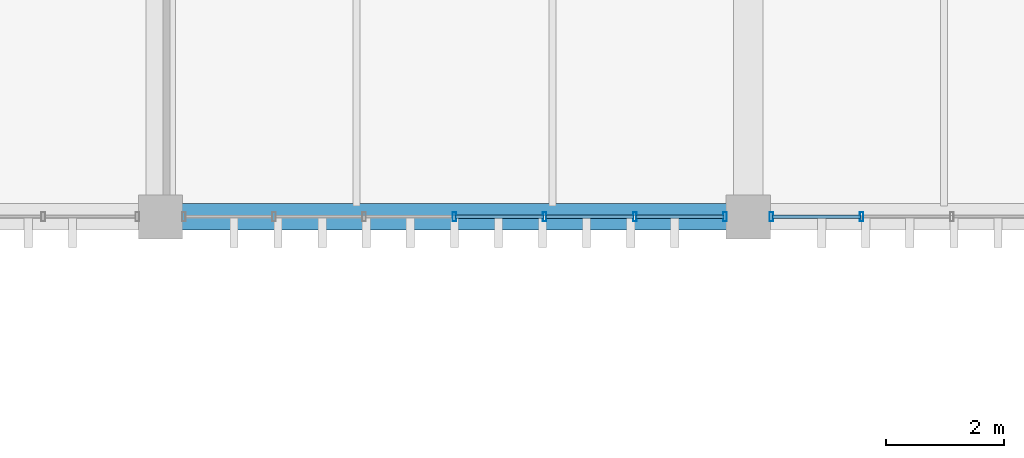
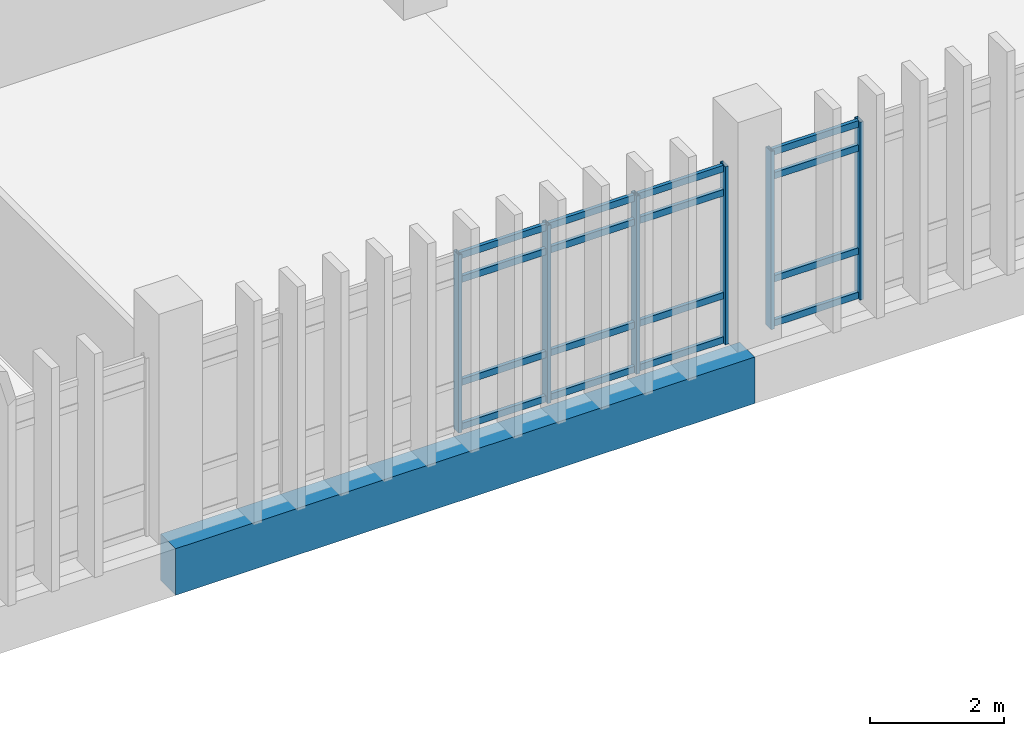
# One storey, part 39 of 111: 22 members, 1 beam, 2 elements without a shape of their own.
"""IFC4 building model written with IfcOpenShell, lengths in metres."""

from ifc_helpers import new_model, si_unit, direction, frame, origin, origin_2d, place, context, subcontext, project, spatial, rectangle, hollow_rectangle, extrude, material, layer, layer_set, material_profile, profile_set, type_object, element, aggregate, save


model = new_model("IFC4")

# Units and contexts
model_context = context("Model", 3, precision=1e-05, world=origin(), true_north=direction((0.0, 1.0)))
body_context = subcontext(model_context, "Body", "Model", "MODEL_VIEW")
ifc_project = project(units=[si_unit("LENGTHUNIT", "METRE"), si_unit("AREAUNIT", "SQUARE_METRE"), si_unit("VOLUMEUNIT", "CUBIC_METRE"), si_unit("PLANEANGLEUNIT", "RADIAN"), si_unit("MASSUNIT", "GRAM", prefix="KILO")], contexts=[model_context])

# Site, building, storey
site_placement = place(None, origin())
site = spatial("IfcSite", under=ifc_project, at=site_placement, CompositionType="ELEMENT")
building_placement = place(site_placement, origin())
building = spatial("IfcBuilding", under=site, at=building_placement, Name="Mersad Railyard Sports Hall", CompositionType="ELEMENT")
storey_placement = place(building_placement, frame((0.0, 0.0, 9.0)))
storey = spatial("IfcBuildingStorey", under=building, at=storey_placement, Name="L02", CompositionType="ELEMENT", Elevation=9.0)

# Curtain wall, members
ifc_material_1 = material(Name="Aluminium 6063-T6", Category="aluminium")
ifc_layer = layer(ifc_material_1, 0.159912109375)
ifc_layer_set = layer_set([ifc_layer], Name="Aluminium 6063-T6")
curtain_wall_type = type_object("IfcCurtainWallType", Name="ARC-CW-CW55", PredefinedType="USERDEFINED", material=ifc_layer_set)
curtain_wall_1_placement = place(storey_placement, origin())
curtain_wall_1 = element("IfcCurtainWall", 1, at=curtain_wall_1_placement, inside=storey, type_object=curtain_wall_type, Name="Curtain wall CW55-0147", ObjectType="CURTAIN WALL", PredefinedType="USERDEFINED")
ifc_material_profile_1 = material_profile(ifc_material_1, hollow_rectangle(XDim=0.06005859375, YDim=0.159912109375, WallThickness=0.00390625, at=origin_2d()), Name="AL MULLION 60x160x4")
ifc_profile_set_1 = profile_set([ifc_material_profile_1], Name="Aluminium 6063-T6")
member_type_1 = type_object("IfcMemberType", Name="ARC-CW-MUL01", PredefinedType="MULLION", material=ifc_profile_set_1)
member_1_placement = place(storey_placement, frame((100.60498046875, 85.0, -0.02001953125), z_axis=(0.0, 0.0, 1.0), x_axis=(1.0, 0.0, 0.0)))
member_1 = element("IfcMember", 2, at=member_1_placement, type_object=member_type_1, Name="CW55 Mullion 1", PredefinedType="MULLION", context=body_context, shape_type="SweptSolid", body=[
    extrude(hollow_rectangle(XDim=0.06005859375, YDim=0.159912109375, WallThickness=0.00390625, at=origin_2d()), origin(), (0.0, 0.0, 1.0), 3.25),
])
member_2_placement = place(storey_placement, frame((99.070068359375, 85.0, -0.02001953125), z_axis=(0.0, 0.0, 1.0), x_axis=(1.0, 0.0, 0.0)))
member_2 = element("IfcMember", 3, at=member_2_placement, type_object=member_type_1, Name="CW55 Mullion 2", PredefinedType="MULLION", context=body_context, shape_type="SweptSolid", body=[
    extrude(hollow_rectangle(XDim=0.06005859375, YDim=0.159912109375, WallThickness=0.00390625, at=origin_2d()), origin(), (0.0, 0.0, 1.0), 3.25),
])
member_3_placement = place(storey_placement, frame((97.534912109375, 85.0, -0.02001953125), z_axis=(0.0, 0.0, 1.0), x_axis=(1.0, 0.0, 0.0)))
member_3 = element("IfcMember", 4, at=member_3_placement, type_object=member_type_1, Name="CW55 Mullion 3", PredefinedType="MULLION", context=body_context, shape_type="SweptSolid", body=[
    extrude(hollow_rectangle(XDim=0.06005859375, YDim=0.159912109375, WallThickness=0.00390625, at=origin_2d()), origin(), (0.0, 0.0, 1.0), 3.25),
])
member_4_placement = place(storey_placement, frame((96.0, 85.0, -0.02001953125), z_axis=(0.0, 0.0, 1.0), x_axis=(1.0, 0.0, 0.0)))
member_4 = element("IfcMember", 5, at=member_4_placement, type_object=member_type_1, Name="CW55 Mullion 4", PredefinedType="MULLION", context=body_context, shape_type="SweptSolid", body=[
    extrude(hollow_rectangle(XDim=0.06005859375, YDim=0.159912109375, WallThickness=0.00390625, at=origin_2d()), origin(), (0.0, 0.0, 1.0), 3.25),
])

curtain_wall_2_placement = place(storey_placement, origin())
curtain_wall_2 = element("IfcCurtainWall", 6, at=curtain_wall_2_placement, inside=storey, type_object=curtain_wall_type, Name="Curtain wall CW55-0148", ObjectType="CURTAIN WALL", PredefinedType="USERDEFINED")
member_5_placement = place(storey_placement, frame((102.929931640625, 85.0, -0.02001953125), z_axis=(0.0, 0.0, 1.0), x_axis=(1.0, 0.0, 0.0)))
member_5 = element("IfcMember", 7, at=member_5_placement, type_object=member_type_1, Name="CW55 Mullion 6", PredefinedType="MULLION", context=body_context, shape_type="SweptSolid", body=[
    extrude(hollow_rectangle(XDim=0.06005859375, YDim=0.159912109375, WallThickness=0.00390625, at=origin_2d()), origin(), (0.0, 0.0, 1.0), 3.25),
])
member_6_placement = place(storey_placement, frame((101.39501953125, 85.0, -0.02001953125), z_axis=(0.0, 0.0, 1.0), x_axis=(1.0, 0.0, 0.0)))
member_6 = element("IfcMember", 8, at=member_6_placement, type_object=member_type_1, Name="CW55 Mullion 7", PredefinedType="MULLION", context=body_context, shape_type="SweptSolid", body=[
    extrude(hollow_rectangle(XDim=0.06005859375, YDim=0.159912109375, WallThickness=0.00390625, at=origin_2d()), origin(), (0.0, 0.0, 1.0), 3.25),
])

# Member
ifc_material_profile_2 = material_profile(ifc_material_1, hollow_rectangle(XDim=0.06005859375, YDim=0.1201171875, WallThickness=0.00390625, at=origin_2d()), Name="AL TRANSOM 60x120x4")
ifc_profile_set_2 = profile_set([ifc_material_profile_2], Name="Aluminium 6063-T6")
member_type_2 = type_object("IfcMemberType", Name="ARC-CW-TRN01", PredefinedType="USERDEFINED", material=ifc_profile_set_2)
member_7_placement = place(storey_placement, frame((100.5849609375, 85.0, 0.0400390625), z_axis=(-1.0, 0.0, 0.0), x_axis=(0.0, -1.0, 0.0)))
member_7 = element("IfcMember", 9, at=member_7_placement, type_object=member_type_2, Name="CW55 Transom 1-1", ObjectType="TRANSOM", PredefinedType="USERDEFINED", context=body_context, shape_type="SweptSolid", body=[
    extrude(hollow_rectangle(XDim=0.06005859375, YDim=0.1201171875, WallThickness=0.00390625, at=origin_2d()), origin(), (0.0, 0.0, 1.0), 1.494873046875),
])

member_8_placement = place(storey_placement, frame((99.050048828125, 85.0, 0.0400390625), z_axis=(-1.0, 0.0, 0.0), x_axis=(0.0, -1.0, 0.0)))
member_8 = element("IfcMember", 10, at=member_8_placement, type_object=member_type_2, Name="CW55 Transom 1-2", ObjectType="TRANSOM", PredefinedType="USERDEFINED", context=body_context, shape_type="SweptSolid", body=[
    extrude(hollow_rectangle(XDim=0.06005859375, YDim=0.1201171875, WallThickness=0.00390625, at=origin_2d()), origin(), (0.0, 0.0, 1.0), 1.4951171875),
])

member_9_placement = place(storey_placement, frame((97.514892578125, 85.0, 0.0400390625), z_axis=(-1.0, 0.0, 0.0), x_axis=(0.0, -1.0, 0.0)))
member_9 = element("IfcMember", 11, at=member_9_placement, type_object=member_type_2, Name="CW55 Transom 1-3", ObjectType="TRANSOM", PredefinedType="USERDEFINED", context=body_context, shape_type="SweptSolid", body=[
    extrude(hollow_rectangle(XDim=0.06005859375, YDim=0.1201171875, WallThickness=0.00390625, at=origin_2d()), origin(), (0.0, 0.0, 1.0), 1.494873046875),
])

member_10_placement = place(storey_placement, frame((100.5849609375, 85.0, 0.85009765625), z_axis=(-1.0, 0.0, 0.0), x_axis=(0.0, -1.0, 0.0)))
member_10 = element("IfcMember", 12, at=member_10_placement, type_object=member_type_2, Name="CW55 Transom 2-1", ObjectType="TRANSOM", PredefinedType="USERDEFINED", context=body_context, shape_type="SweptSolid", body=[
    extrude(hollow_rectangle(XDim=0.06005859375, YDim=0.1201171875, WallThickness=0.00390625, at=origin_2d()), origin(), (0.0, 0.0, 1.0), 1.494873046875),
])

member_11_placement = place(storey_placement, frame((99.050048828125, 85.0, 0.85009765625), z_axis=(-1.0, 0.0, 0.0), x_axis=(0.0, -1.0, 0.0)))
member_11 = element("IfcMember", 13, at=member_11_placement, type_object=member_type_2, Name="CW55 Transom 2-2", ObjectType="TRANSOM", PredefinedType="USERDEFINED", context=body_context, shape_type="SweptSolid", body=[
    extrude(hollow_rectangle(XDim=0.06005859375, YDim=0.1201171875, WallThickness=0.00390625, at=origin_2d()), origin(), (0.0, 0.0, 1.0), 1.4951171875),
])

member_12_placement = place(storey_placement, frame((97.514892578125, 85.0, 0.85009765625), z_axis=(-1.0, 0.0, 0.0), x_axis=(0.0, -1.0, 0.0)))
member_12 = element("IfcMember", 14, at=member_12_placement, type_object=member_type_2, Name="CW55 Transom 2-3", ObjectType="TRANSOM", PredefinedType="USERDEFINED", context=body_context, shape_type="SweptSolid", body=[
    extrude(hollow_rectangle(XDim=0.06005859375, YDim=0.1201171875, WallThickness=0.00390625, at=origin_2d()), origin(), (0.0, 0.0, 1.0), 1.494873046875),
])

member_13_placement = place(storey_placement, frame((100.5849609375, 85.0, 2.72998046875), z_axis=(-1.0, 0.0, 0.0), x_axis=(0.0, -1.0, 0.0)))
member_13 = element("IfcMember", 15, at=member_13_placement, type_object=member_type_2, Name="CW55 Transom 3-1", ObjectType="TRANSOM", PredefinedType="USERDEFINED", context=body_context, shape_type="SweptSolid", body=[
    extrude(hollow_rectangle(XDim=0.06005859375, YDim=0.1201171875, WallThickness=0.00390625, at=origin_2d()), origin(), (0.0, 0.0, 1.0), 1.494873046875),
])

member_14_placement = place(storey_placement, frame((99.050048828125, 85.0, 2.72998046875), z_axis=(-1.0, 0.0, 0.0), x_axis=(0.0, -1.0, 0.0)))
member_14 = element("IfcMember", 16, at=member_14_placement, type_object=member_type_2, Name="CW55 Transom 3-2", ObjectType="TRANSOM", PredefinedType="USERDEFINED", context=body_context, shape_type="SweptSolid", body=[
    extrude(hollow_rectangle(XDim=0.06005859375, YDim=0.1201171875, WallThickness=0.00390625, at=origin_2d()), origin(), (0.0, 0.0, 1.0), 1.4951171875),
])

member_15_placement = place(storey_placement, frame((97.514892578125, 85.0, 2.72998046875), z_axis=(-1.0, 0.0, 0.0), x_axis=(0.0, -1.0, 0.0)))
member_15 = element("IfcMember", 17, at=member_15_placement, type_object=member_type_2, Name="CW55 Transom 3-3", ObjectType="TRANSOM", PredefinedType="USERDEFINED", context=body_context, shape_type="SweptSolid", body=[
    extrude(hollow_rectangle(XDim=0.06005859375, YDim=0.1201171875, WallThickness=0.00390625, at=origin_2d()), origin(), (0.0, 0.0, 1.0), 1.494873046875),
])

member_16_placement = place(storey_placement, frame((100.5849609375, 85.0, 3.169921875), z_axis=(-1.0, 0.0, 0.0), x_axis=(0.0, -1.0, 0.0)))
member_16 = element("IfcMember", 18, at=member_16_placement, type_object=member_type_2, Name="CW55 Transom 4-1", ObjectType="TRANSOM", PredefinedType="USERDEFINED", context=body_context, shape_type="SweptSolid", body=[
    extrude(hollow_rectangle(XDim=0.06005859375, YDim=0.1201171875, WallThickness=0.00390625, at=origin_2d()), origin(), (0.0, 0.0, 1.0), 1.494873046875),
])

member_17_placement = place(storey_placement, frame((99.050048828125, 85.0, 3.169921875), z_axis=(-1.0, 0.0, 0.0), x_axis=(0.0, -1.0, 0.0)))
member_17 = element("IfcMember", 19, at=member_17_placement, type_object=member_type_2, Name="CW55 Transom 4-2", ObjectType="TRANSOM", PredefinedType="USERDEFINED", context=body_context, shape_type="SweptSolid", body=[
    extrude(hollow_rectangle(XDim=0.06005859375, YDim=0.1201171875, WallThickness=0.00390625, at=origin_2d()), origin(), (0.0, 0.0, 1.0), 1.4951171875),
])

member_18_placement = place(storey_placement, frame((97.514892578125, 85.0, 3.169921875), z_axis=(-1.0, 0.0, 0.0), x_axis=(0.0, -1.0, 0.0)))
member_18 = element("IfcMember", 20, at=member_18_placement, type_object=member_type_2, Name="CW55 Transom 4-3", ObjectType="TRANSOM", PredefinedType="USERDEFINED", context=body_context, shape_type="SweptSolid", body=[
    extrude(hollow_rectangle(XDim=0.06005859375, YDim=0.1201171875, WallThickness=0.00390625, at=origin_2d()), origin(), (0.0, 0.0, 1.0), 1.494873046875),
])

aggregate(curtain_wall_1, [member_1, member_2, member_3, member_4, member_7, member_8, member_9, member_10, member_11, member_12, member_13, member_14, member_15, member_16, member_17, member_18])

member_19_placement = place(storey_placement, frame((102.909912109375, 85.0, 0.0400390625), z_axis=(-1.0, 0.0, 0.0), x_axis=(0.0, -1.0, 0.0)))
member_19 = element("IfcMember", 21, at=member_19_placement, type_object=member_type_2, Name="CW55 Transom 1-6", ObjectType="TRANSOM", PredefinedType="USERDEFINED", context=body_context, shape_type="SweptSolid", body=[
    extrude(hollow_rectangle(XDim=0.06005859375, YDim=0.1201171875, WallThickness=0.00390625, at=origin_2d()), origin(), (0.0, 0.0, 1.0), 1.494873046875),
])

member_20_placement = place(storey_placement, frame((102.909912109375, 85.0, 0.85009765625), z_axis=(-1.0, 0.0, 0.0), x_axis=(0.0, -1.0, 0.0)))
member_20 = element("IfcMember", 22, at=member_20_placement, type_object=member_type_2, Name="CW55 Transom 2-6", ObjectType="TRANSOM", PredefinedType="USERDEFINED", context=body_context, shape_type="SweptSolid", body=[
    extrude(hollow_rectangle(XDim=0.06005859375, YDim=0.1201171875, WallThickness=0.00390625, at=origin_2d()), origin(), (0.0, 0.0, 1.0), 1.494873046875),
])

member_21_placement = place(storey_placement, frame((102.909912109375, 85.0, 2.72998046875), z_axis=(-1.0, 0.0, 0.0), x_axis=(0.0, -1.0, 0.0)))
member_21 = element("IfcMember", 23, at=member_21_placement, type_object=member_type_2, Name="CW55 Transom 3-6", ObjectType="TRANSOM", PredefinedType="USERDEFINED", context=body_context, shape_type="SweptSolid", body=[
    extrude(hollow_rectangle(XDim=0.06005859375, YDim=0.1201171875, WallThickness=0.00390625, at=origin_2d()), origin(), (0.0, 0.0, 1.0), 1.494873046875),
])

member_22_placement = place(storey_placement, frame((102.909912109375, 85.0, 3.169921875), z_axis=(-1.0, 0.0, 0.0), x_axis=(0.0, -1.0, 0.0)))
member_22 = element("IfcMember", 24, at=member_22_placement, type_object=member_type_2, Name="CW55 Transom 4-6", ObjectType="TRANSOM", PredefinedType="USERDEFINED", context=body_context, shape_type="SweptSolid", body=[
    extrude(hollow_rectangle(XDim=0.06005859375, YDim=0.1201171875, WallThickness=0.00390625, at=origin_2d()), origin(), (0.0, 0.0, 1.0), 1.494873046875),
])

aggregate(curtain_wall_2, [member_5, member_6, member_19, member_20, member_21, member_22])

# Beam
ifc_material_2 = material(Name="Concrete C40/50", Category="concrete")
ifc_material_profile_3 = material_profile(ifc_material_2, rectangle(XDim=0.449951171875, YDim=0.85009765625, at=origin_2d()), Name="RC 450x850")
ifc_profile_set_3 = profile_set([ifc_material_profile_3], Name="Concrete C40/50")
beam_type = type_object("IfcBeamType", Name="STR-BM-B02", PredefinedType="BEAM", material=ifc_profile_set_3)
beam_placement = place(storey_placement, frame((91.0, 85.0, -0.72509765625), z_axis=(1.0, 0.0, 0.0), x_axis=(0.0, 1.0, 0.0)))
element("IfcBeam", 25, at=beam_placement, inside=storey, type_object=beam_type, Name="Beam B02-1069", PredefinedType="BEAM", context=body_context, shape_type="SweptSolid", body=[
    extrude(rectangle(XDim=0.449951171875, YDim=0.85009765625, at=origin_2d()), origin(), (0.0, 0.0, 1.0), 10.0),
])

save(model, "model.ifc")
